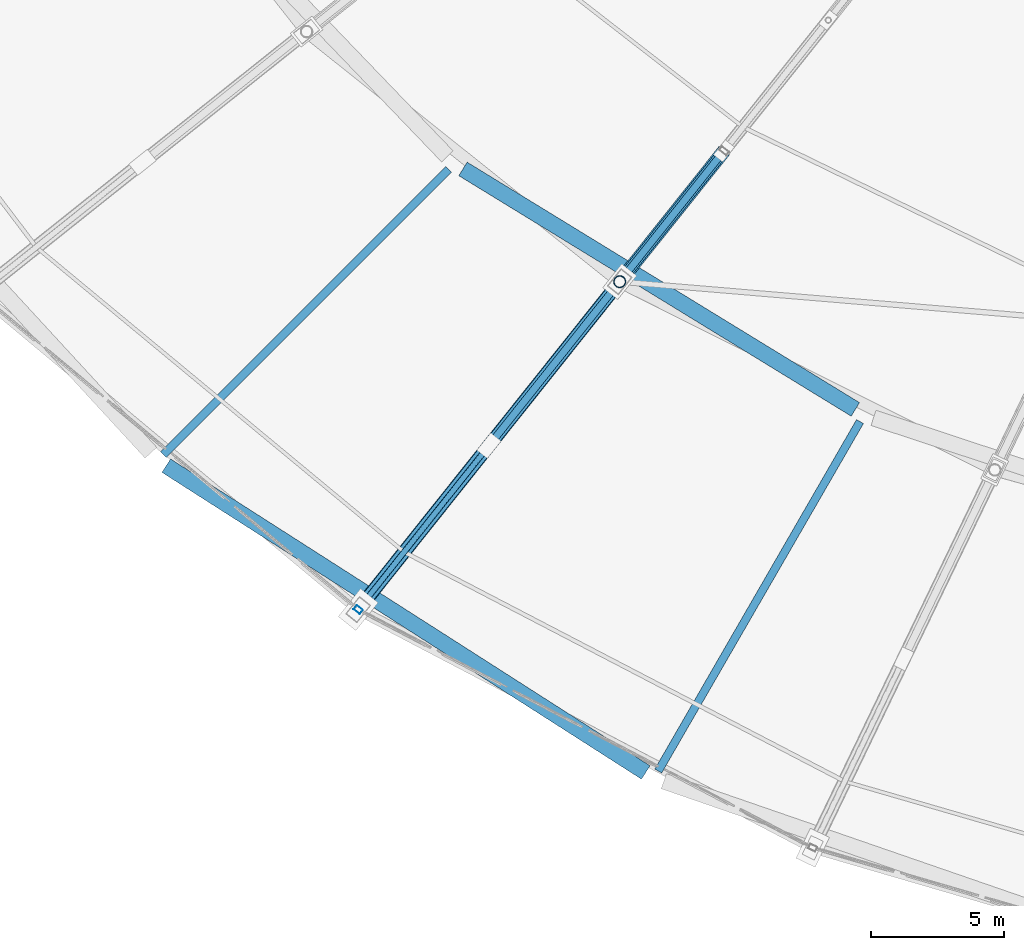
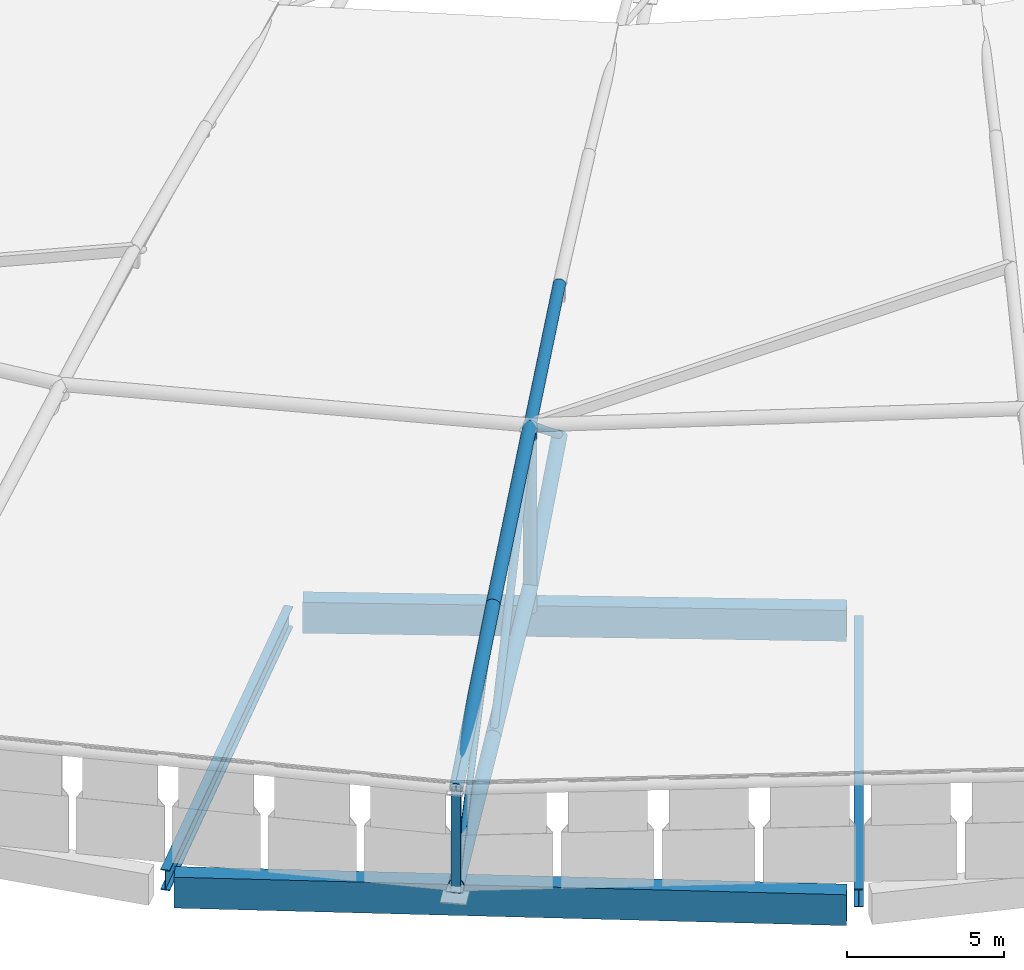
# One storey, part 4 of 108: 11 members, 4 beams.
"""IFC4 building model written with IfcOpenShell, lengths in metres."""

from ifc_helpers import new_model, si_unit, direction, frame, origin, origin_2d, place, context, subcontext, project, spatial, rectangle, hollow_rectangle, hollow_circle, i_section, extrude, material, material_profile, profile_set, type_object, element, save


model = new_model("IFC4")

# Units and contexts
model_context = context("Model", 3, precision=1e-05, world=origin(), true_north=direction((0.0, 1.0)))
body_context = subcontext(model_context, "Body", "Model", "MODEL_VIEW")
ifc_project = project(units=[si_unit("LENGTHUNIT", "METRE"), si_unit("AREAUNIT", "SQUARE_METRE"), si_unit("VOLUMEUNIT", "CUBIC_METRE"), si_unit("PLANEANGLEUNIT", "RADIAN"), si_unit("MASSUNIT", "GRAM", prefix="KILO")], contexts=[model_context])

# Site, building, storey
site_placement = place(None, origin())
site = spatial("IfcSite", under=ifc_project, at=site_placement, CompositionType="ELEMENT")
building_placement = place(site_placement, origin())
building = spatial("IfcBuilding", under=site, at=building_placement, Name="Zevraka Park Crest Stadium", CompositionType="ELEMENT")
storey_placement = place(building_placement, frame((0.0, 0.0, 29.39990234375)))
storey = spatial("IfcBuildingStorey", under=building, at=storey_placement, Name="RF", CompositionType="ELEMENT", Elevation=29.39990234375)

# Beams
ifc_material_1 = material(Name="Steel S355", Category="steel")
ifc_material_profile_1 = material_profile(ifc_material_1, i_section(OverallWidth=0.300048828125, OverallDepth=0.699951171875, WebThickness=0.01708984375, FlangeThickness=0.031982421875, at=origin_2d()), Name="HEB 700")
ifc_profile_set_1 = profile_set([ifc_material_profile_1], Name="Steel S355")
beam_type_1 = type_object("IfcBeamType", Name="BG06", PredefinedType="BEAM", material=ifc_profile_set_1)
beam_1_placement = place(storey_placement, frame((74.60009765625, 40.2109375, -0.534912109375), z_axis=(-0.500026023896, -0.86601037836, 0.0), x_axis=(0.86601037836, -0.500026023896, 0.0)))
element("IfcBeam", 1, at=beam_1_placement, inside=storey, type_object=beam_type_1, Name="Radial Girder BG06 RF-BD-16", PredefinedType="BEAM", context=body_context, shape_type="SweptSolid", body=[
    extrude(i_section(OverallWidth=0.300048828125, OverallDepth=0.699951171875, WebThickness=0.01708984375, FlangeThickness=0.031982421875, at=origin_2d()), origin(), (0.0, 0.0, 1.0), 15.199462890625),
])
ifc_material_2 = material(Name="Steel S355", Category="steel")
ifc_material_profile_2 = material_profile(ifc_material_2, i_section(OverallWidth=0.300048828125, OverallDepth=0.800048828125, WebThickness=0.017578125, FlangeThickness=0.032958984375, at=origin_2d()), Name="HEB 800")
ifc_profile_set_2 = profile_set([ifc_material_profile_2], Name="Steel S355")
beam_type_2 = type_object("IfcBeamType", Name="BG10", PredefinedType="BEAM", material=ifc_profile_set_2)
beam_2_placement = place(storey_placement, frame((59.10888671875, 49.715087890625, -0.534912109375), z_axis=(-0.707130872727, -0.707082688826, 0.0), x_axis=(0.707082688826, -0.707130872727, 0.0)))
element("IfcBeam", 2, at=beam_2_placement, inside=storey, type_object=beam_type_2, Name="Radial Girder BG10 RF-BD-15", PredefinedType="BEAM", context=body_context, shape_type="SweptSolid", body=[
    extrude(i_section(OverallWidth=0.300048828125, OverallDepth=0.800048828125, WebThickness=0.017578125, FlangeThickness=0.032958984375, at=origin_2d()), origin(), (0.0, 0.0, 1.0), 15.200439453125),
])
ifc_material_3 = material(Name="Concrete C40/50", Category="concrete")
ifc_material_profile_3 = material_profile(ifc_material_3, rectangle(XDim=0.60009765625, YDim=1.199951171875, at=origin_2d()), Name="RC 1200x600")
ifc_profile_set_3 = profile_set([ifc_material_profile_3], Name="Concrete C40/50")
beam_type_3 = type_object("IfcBeamType", Name="RB01", PredefinedType="BEAM", material=ifc_profile_set_3)
beam_3_placement = place(storey_placement, frame((59.64501953125, 49.72802734375, -0.599853515625), z_axis=(0.852632623571, -0.522510869956, 0.0), x_axis=(0.522510869956, 0.852632623571, 0.0)))
element("IfcBeam", 3, at=beam_3_placement, inside=storey, type_object=beam_type_3, Name="Ring Beam RB01 RF-B-15", PredefinedType="BEAM", context=body_context, shape_type="SweptSolid", body=[
    extrude(rectangle(XDim=0.60009765625, YDim=1.199951171875, at=origin_2d()), origin(), (0.0, 0.0, 1.0), 17.335693359375),
])
beam_4_placement = place(storey_placement, frame((48.468017578125, 38.550048828125, -0.599853515625), z_axis=(0.842325571453, -0.538969045193, 0.0), x_axis=(0.538969045193, 0.842325571453, 0.0)))
element("IfcBeam", 4, at=beam_4_placement, inside=storey, type_object=beam_type_3, Name="Ring Beam RB01 RF-D-15", PredefinedType="BEAM", context=body_context, shape_type="SweptSolid", body=[
    extrude(rectangle(XDim=0.60009765625, YDim=1.199951171875, at=origin_2d()), origin(), (0.0, 0.0, 1.0), 21.443115234375),
])

# Members
ifc_material_4 = material(Name="Steel S355", Category="steel")
ifc_material_profile_4 = material_profile(ifc_material_4, hollow_circle(Radius=0.25390625, WallThickness=0.030029296875, at=origin_2d()), Name="CHS 508.0x30")
ifc_profile_set_4 = profile_set([ifc_material_profile_4], Name="Steel S355")
member_type_1 = type_object("IfcMemberType", Name="TC01", PredefinedType="CHORD", material=ifc_profile_set_4)
member_1_placement = place(storey_placement, frame((55.698974609375, 33.1279296875, 0.25), z_axis=(0.622967457685, 0.781326508049, 0.037953056337), x_axis=(-0.781889841529, 0.623416614884, 0.0)))
element("IfcMember", 5, at=member_1_placement, inside=storey, type_object=member_type_1, Name="Roof Truss Bottom Chord TC01 T19-1", PredefinedType="CHORD", context=body_context, shape_type="SweptSolid", body=[
    extrude(hollow_circle(Radius=0.25390625, WallThickness=0.030029296875, at=origin_2d()), origin(), (0.0, 0.0, 1.0), 7.90576171875),
])
member_2_placement = place(storey_placement, frame((60.6240234375, 39.304931640625, 0.550048828125), z_axis=(0.622941021259, 0.78101496827, 0.04427305469), x_axis=(-0.781781530396, 0.623552434629, 0.0)))
element("IfcMember", 6, at=member_2_placement, inside=storey, type_object=member_type_1, Name="Roof Truss Bottom Chord TC01 T19-2", PredefinedType="CHORD", context=body_context, shape_type="SweptSolid", body=[
    extrude(hollow_circle(Radius=0.25390625, WallThickness=0.030029296875, at=origin_2d()), origin(), (0.0, 0.0, 1.0), 7.90771484375),
])
member_3_placement = place(storey_placement, frame((65.550048828125, 45.48095703125, 0.900146484375), z_axis=(0.605398728086, 0.759222458611, 0.238900896551), x_axis=(-0.781862092926, 0.623451415626, 0.0)))
element("IfcMember", 7, at=member_3_placement, inside=storey, type_object=member_type_1, Name="Roof Truss Bottom Chord TC01 T19-3", PredefinedType="CHORD", context=body_context, shape_type="SweptSolid", body=[
    extrude(hollow_circle(Radius=0.25390625, WallThickness=0.030029296875, at=origin_2d()), origin(), (0.0, 0.0, 1.0), 6.48828125),
])
ifc_material_5 = material(Name="Steel S355", Category="steel")
ifc_material_profile_5 = material_profile(ifc_material_5, hollow_circle(Radius=0.228515625, WallThickness=0.02490234375, at=origin_2d()), Name="CHS 457.0x25")
ifc_profile_set_5 = profile_set([ifc_material_profile_5], Name="Steel S355")
member_type_2 = type_object("IfcMemberType", Name="TC02", PredefinedType="CHORD", material=ifc_profile_set_5)
member_4_placement = place(storey_placement, frame((65.550048828125, 45.48095703125, 0.0), z_axis=(0.0, 0.0, 1.0), x_axis=(0.623470308046, 0.781847027868, 0.0)))
element("IfcMember", 8, at=member_4_placement, inside=storey, type_object=member_type_2, Name="Roof Truss Anchor Strut TC02 T19-2", PredefinedType="CHORD", context=body_context, shape_type="SweptSolid", body=[
    extrude(hollow_circle(Radius=0.228515625, WallThickness=0.02490234375, at=origin_2d()), origin(), (0.0, 0.0, 1.0), 7.2001953125),
])
member_5_placement = place(storey_placement, frame((55.698974609375, 33.1279296875, 4.0), z_axis=(0.609462360825, 0.764388399902, 0.210394878342), x_axis=(-0.781889841529, 0.623416614884, 0.0)))
element("IfcMember", 9, at=member_5_placement, inside=storey, type_object=member_type_2, Name="Roof Truss Top Chord TC02 T19-1", PredefinedType="CHORD", context=body_context, shape_type="SweptSolid", body=[
    extrude(hollow_circle(Radius=0.228515625, WallThickness=0.02490234375, at=origin_2d()), origin(), (0.0, 0.0, 1.0), 8.0810546875),
])
member_6_placement = place(storey_placement, frame((60.6240234375, 39.304931640625, 5.7001953125), z_axis=(0.612607206278, 0.768058903564, 0.186542036743), x_axis=(-0.781781530396, 0.623552434629, 0.0)))
element("IfcMember", 10, at=member_6_placement, inside=storey, type_object=member_type_2, Name="Roof Truss Top Chord TC02 T19-2", PredefinedType="CHORD", context=body_context, shape_type="SweptSolid", body=[
    extrude(hollow_circle(Radius=0.228515625, WallThickness=0.02490234375, at=origin_2d()), origin(), (0.0, 0.0, 1.0), 8.041015625),
])
ifc_material_6 = material(Name="Steel S355", Category="steel")
ifc_material_profile_6 = material_profile(ifc_material_6, hollow_circle(Radius=0.203125, WallThickness=0.02001953125, at=origin_2d()), Name="CHS 406.4x20")
ifc_profile_set_6 = profile_set([ifc_material_profile_6], Name="Steel S355")
member_type_3 = type_object("IfcMemberType", Name="TC03", PredefinedType="CHORD", material=ifc_profile_set_6)
member_7_placement = place(storey_placement, frame((65.550048828125, 45.48095703125, 7.2001953125), z_axis=(0.613319917496, 0.769156316447, 0.179547318752), x_axis=(-0.781862092926, 0.623451415626, 0.0)))
element("IfcMember", 11, at=member_7_placement, inside=storey, type_object=member_type_3, Name="Roof Truss Top Chord TC03 T19-3", PredefinedType="CHORD", context=body_context, shape_type="SweptSolid", body=[
    extrude(hollow_circle(Radius=0.203125, WallThickness=0.02001953125, at=origin_2d()), origin(), (0.0, 0.0, 1.0), 6.404541015625),
])
ifc_material_7 = material(Name="Steel S355", Category="steel")
ifc_material_profile_7 = material_profile(ifc_material_7, hollow_circle(Radius=0.136474609375, WallThickness=0.012451171875, at=origin_2d()), Name="CHS 273.0x12.5")
ifc_profile_set_7 = profile_set([ifc_material_profile_7], Name="Steel S355")
member_type_4 = type_object("IfcMemberType", Name="WB01", PredefinedType="BRACE", material=ifc_profile_set_7)
member_8_placement = place(storey_placement, frame((60.6240234375, 39.304931640625, 0.550048828125), z_axis=(0.477034607689, 0.598084178555, 0.643997902504), x_axis=(-0.781781530396, 0.623552434629, 0.0)))
element("IfcMember", 12, at=member_8_placement, inside=storey, type_object=member_type_4, Name="Roof Truss Web Diagonal WB01 T19-2", PredefinedType="BRACE", context=body_context, shape_type="SweptSolid", body=[
    extrude(hollow_circle(Radius=0.136474609375, WallThickness=0.012451171875, at=origin_2d()), origin(), (0.0, 0.0, 1.0), 10.326416015625),
])
member_9_placement = place(storey_placement, frame((69.47802734375, 50.406982421875, 2.4501953125), z_axis=(-0.497822093895, -0.624312038567, 0.602003024353), x_axis=(0.781862092926, -0.623451415626, 0.0)))
element("IfcMember", 13, at=member_9_placement, inside=storey, type_object=member_type_4, Name="Roof Truss Web Diagonal WB01 T19-3", PredefinedType="BRACE", context=body_context, shape_type="SweptSolid", body=[
    extrude(hollow_circle(Radius=0.136474609375, WallThickness=0.012451171875, at=origin_2d()), origin(), (0.0, 0.0, 1.0), 7.890380859375),
])
ifc_material_8 = material(Name="Steel S355", Category="steel")
ifc_material_profile_8 = material_profile(ifc_material_8, hollow_circle(Radius=0.109619140625, WallThickness=0.010009765625, at=origin_2d()), Name="CHS 219.1x10")
ifc_profile_set_8 = profile_set([ifc_material_profile_8], Name="Steel S355")
member_type_5 = type_object("IfcMemberType", Name="WB02", PredefinedType="BRACE", material=ifc_profile_set_8)
member_10_placement = place(storey_placement, frame((55.698974609375, 33.1279296875, 0.25), z_axis=(0.51314818539, 0.643591049351, 0.567863981096), x_axis=(-0.781889841529, 0.623416614884, 0.0)))
element("IfcMember", 14, at=member_10_placement, inside=storey, type_object=member_type_5, Name="Roof Truss Web Diagonal WB02 T19-1", PredefinedType="BRACE", context=body_context, shape_type="SweptSolid", body=[
    extrude(hollow_circle(Radius=0.109619140625, WallThickness=0.010009765625, at=origin_2d()), origin(), (0.0, 0.0, 1.0), 9.59765625),
])
ifc_material_9 = material(Name="Steel S355", Category="steel")
ifc_material_profile_9 = material_profile(ifc_material_9, hollow_rectangle(XDim=0.199951171875, YDim=0.300048828125, WallThickness=0.012451171875, at=origin_2d()), Name="RHS 300x200x12.5")
ifc_profile_set_9 = profile_set([ifc_material_profile_9], Name="Steel S355")
member_type_6 = type_object("IfcMemberType", Name="WB03", PredefinedType="BRACE", material=ifc_profile_set_9)
member_11_placement = place(storey_placement, frame((55.698974609375, 33.1279296875, 0.0), z_axis=(0.0, 0.0, 1.0), x_axis=(0.623470308046, 0.781847027868, 0.0)))
element("IfcMember", 15, at=member_11_placement, inside=storey, type_object=member_type_6, Name="Roof Truss Anchor Strut WB03 T19-0", PredefinedType="BRACE", context=body_context, shape_type="SweptSolid", body=[
    extrude(hollow_rectangle(XDim=0.199951171875, YDim=0.300048828125, WallThickness=0.012451171875, at=origin_2d()), origin(), (0.0, 0.0, 1.0), 4.0),
])

save(model, "model.ifc")
